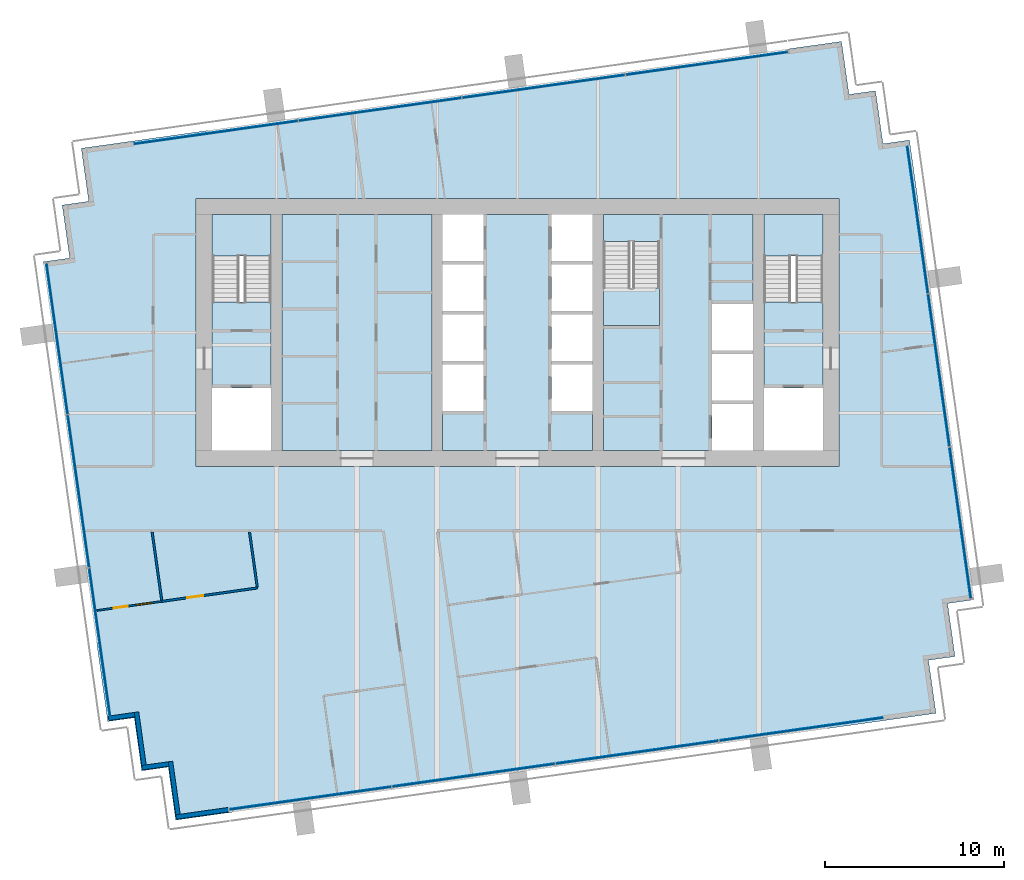
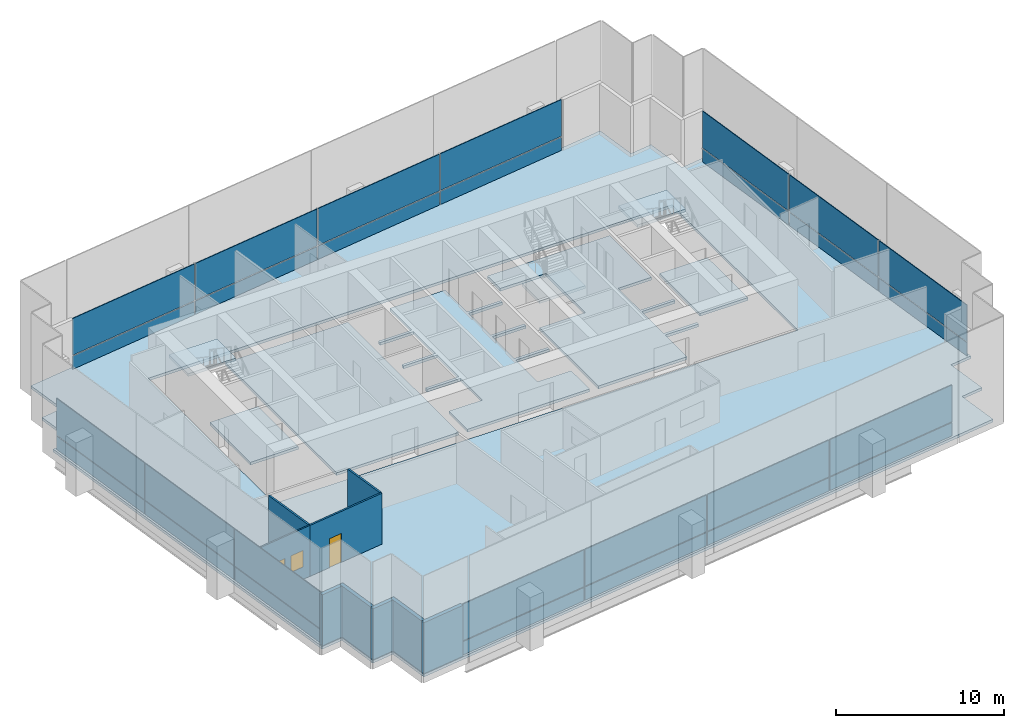
# One storey, part 7 of 15: 28 plates, 9 slabs, 9 walls, 2 doors, 1 window, 3 openings, 7 elements without a shape of their own.
"""IFC4 building model written with IfcOpenShell, lengths in metres."""

from ifc_helpers import new_model, si_unit, direction, frame, frame_2d, origin, origin_2d, place, context, subcontext, project, spatial, polyline, rectangle, outline, extrude, material, layer, layer_set, type_object, element, fill, aggregate, save


model = new_model("IFC4")

# Units and contexts
model_context = context("Model", 3, precision=1e-05, world=origin(), true_north=direction((0.0, 1.0)))
body_context = subcontext(model_context, "Body", "Model", "MODEL_VIEW")
ifc_project = project(units=[si_unit("LENGTHUNIT", "METRE"), si_unit("AREAUNIT", "SQUARE_METRE"), si_unit("VOLUMEUNIT", "CUBIC_METRE"), si_unit("PLANEANGLEUNIT", "RADIAN"), si_unit("MASSUNIT", "GRAM", prefix="KILO")], contexts=[model_context])

# Site, building, storey
site_placement = place(None, origin())
site = spatial("IfcSite", under=ifc_project, at=site_placement, CompositionType="ELEMENT")
building_placement = place(site_placement, origin())
building = spatial("IfcBuilding", under=site, at=building_placement, Name="Rattan Terrace Tower", CompositionType="ELEMENT")
storey_placement = place(building_placement, frame((0.0, 0.0, 255.10009765625)))
storey = spatial("IfcBuildingStorey", under=building, at=storey_placement, Name="L58", CompositionType="ELEMENT", Elevation=255.10009765625)

# Stair, slab
ifc_material_1 = material(Name="Concrete C40/50", Category="concrete")
stair_type = type_object("IfcStairType", Name="Core exit stair 1500", PredefinedType="HALF_TURN_STAIR", material=ifc_material_1)
stair_1_placement = place(storey_placement, origin())
stair_1 = element("IfcStair", 1, at=stair_1_placement, inside=storey, type_object=stair_type, Name="L58 exit stair 1", PredefinedType="HALF_TURN_STAIR")
ifc_material_2 = material(Name="Concrete C40/50", Category="concrete")
ifc_layer_1 = layer(ifc_material_2, 0.199951171875)
ifc_layer_set_1 = layer_set([ifc_layer_1], Name="Core exit stair landing")
slab_type_1 = type_object("IfcSlabType", Name="Core exit stair landing", PredefinedType="LANDING", material=ifc_layer_set_1)
slab_1_placement = place(storey_placement, frame((0.0, 0.0, 1.75)))
slab_1 = element("IfcSlab", 2, at=slab_1_placement, type_object=slab_type_1, Name="S1 landing 1", PredefinedType="LANDING", context=body_context, shape_type="SweptSolid", body=[
    extrude(outline(polyline([(-13.800048828125, 4.300048828125), (-13.800048828125, 6.60009765625), (-17.10009765625, 6.60009765625), (-17.10009765625, 4.300048828125), (-13.800048828125, 4.300048828125)])), origin(), (0.0, 0.0, 1.0), 0.199951171875),
])
aggregate(stair_1, [slab_1])

stair_2_placement = place(storey_placement, origin())
stair_2 = element("IfcStair", 3, at=stair_2_placement, inside=storey, type_object=stair_type, Name="L58 exit stair 2", PredefinedType="HALF_TURN_STAIR")
slab_2_placement = place(storey_placement, frame((0.0, 0.0, 1.75)))
slab_2 = element("IfcSlab", 4, at=slab_2_placement, type_object=slab_type_1, Name="S2 landing 1", PredefinedType="LANDING", context=body_context, shape_type="SweptSolid", body=[
    extrude(outline(polyline([(17.10009765625, 4.300048828125), (17.10009765625, 6.60009765625), (13.800048828125, 6.60009765625), (13.800048828125, 4.300048828125), (17.10009765625, 4.300048828125)])), origin(), (0.0, 0.0, 1.0), 0.199951171875),
])
aggregate(stair_2, [slab_2])

stair_3_placement = place(storey_placement, origin())
stair_3 = element("IfcStair", 5, at=stair_3_placement, inside=storey, type_object=stair_type, Name="L58 exit stair 3", PredefinedType="HALF_TURN_STAIR")
slab_3_placement = place(storey_placement, frame((0.0, 0.0, 1.75)))
slab_3 = element("IfcSlab", 6, at=slab_3_placement, type_object=slab_type_1, Name="S3 landing 1", PredefinedType="LANDING", context=body_context, shape_type="SweptSolid", body=[
    extrude(outline(polyline([(4.800048828125, 2.5), (4.800048828125, 0.39990234375), (7.949951171875, 0.39990234375), (7.949951171875, 2.5), (4.800048828125, 2.5)])), origin(), (0.0, 0.0, 1.0), 0.199951171875),
])
aggregate(stair_3, [slab_3])

# Slabs
ifc_material_3 = material(Name="Concrete C35/45", Category="concrete")
ifc_layer_2 = layer(ifc_material_3, 0.199951171875)
ifc_layer_set_2 = layer_set([ifc_layer_2], Name="Frame composite floor slab 200")
slab_type_2 = type_object("IfcSlabType", Name="Frame composite floor slab 200", PredefinedType="FLOOR", material=ifc_layer_set_2)
slab_4_placement = place(storey_placement, frame((0.0, 0.0, -0.2001953125)))
element("IfcSlab", 7, at=slab_4_placement, inside=storey, type_object=slab_type_2, Name="Floor slab", PredefinedType="FLOOR", context=body_context, shape_type="SweptSolid", body=[
    extrude(outline(polyline([(-16.176025390625, -26.889892578125), (20.464111328125, -21.739990234375), (23.43505859375, -21.322998046875), (23.01806640625, -18.35205078125), (24.5029296875, -18.14306640625), (24.0849609375, -15.173095703125), (25.571044921875, -14.964111328125), (21.951904296875, 10.782958984375), (20.467041015625, 10.573974609375), (20.049072265625, 13.544921875), (18.56396484375, 13.3369140625), (18.14599609375, 16.306884765625), (15.176025390625, 15.889892578125), (-21.464111328125, 10.739990234375), (-24.43505859375, 10.322998046875), (-24.01806640625, 7.35205078125), (-25.5029296875, 7.14306640625), (-25.0849609375, 4.173095703125), (-26.571044921875, 3.964111328125), (-22.951904296875, -21.782958984375), (-21.467041015625, -21.573974609375), (-21.049072265625, -24.544921875), (-19.56396484375, -24.3369140625), (-19.14599609375, -27.306884765625), (-16.176025390625, -26.889892578125)]), holes=[polyline([(-18.0, -7.5), (18.0, -7.5), (18.0, -6.60009765625), (18.0, 6.60009765625), (18.0, 7.5), (-18.0, 7.5), (-18.0, 6.60009765625), (-18.0, -6.60009765625), (-18.0, -7.5)])]), origin(), (0.0, 0.0, 1.0), 0.2001953125),
])
slab_5_placement = place(storey_placement, frame((0.0, 0.0, -0.2001953125)))
element("IfcSlab", 8, at=slab_5_placement, inside=storey, type_object=slab_type_2, Name="Floor slab", PredefinedType="FLOOR", context=body_context, shape_type="SweptSolid", body=[
    extrude(outline(polyline([(13.199951171875, 6.60009765625), (4.800048828125, 6.60009765625), (4.800048828125, 5.090087890625), (7.949951171875, 5.090087890625), (7.949951171875, 0.39990234375), (4.800048828125, 0.39990234375), (4.800048828125, -6.60009765625), (10.89990234375, -6.60009765625), (10.89990234375, -4.0), (13.199951171875, -4.0), (13.199951171875, -3.800048828125), (10.89990234375, -3.800048828125), (10.89990234375, -1.199951171875), (13.199951171875, -1.199951171875), (13.199951171875, -1.0), (10.89990234375, -1.0), (10.89990234375, 1.60009765625), (13.199951171875, 1.60009765625), (13.199951171875, 6.60009765625)])), origin(), (0.0, 0.0, 1.0), 0.2001953125),
])
slab_6_placement = place(storey_placement, frame((0.0, 0.0, -0.2001953125)))
element("IfcSlab", 9, at=slab_6_placement, inside=storey, type_object=slab_type_2, Name="Floor slab", PredefinedType="FLOOR", context=body_context, shape_type="SweptSolid", body=[
    extrude(outline(polyline([(1.89990234375, 6.60009765625), (-1.89990234375, 6.60009765625), (-1.89990234375, 4.0), (-4.199951171875, 4.0), (-4.199951171875, 3.800048828125), (-1.89990234375, 3.800048828125), (-1.89990234375, 1.199951171875), (-4.199951171875, 1.199951171875), (-4.199951171875, 1.0), (-1.89990234375, 1.0), (-1.89990234375, -1.60009765625), (-4.199951171875, -1.60009765625), (-4.199951171875, -1.800048828125), (-1.89990234375, -1.800048828125), (-1.89990234375, -4.39990234375), (-4.199951171875, -4.39990234375), (-4.199951171875, -6.60009765625), (4.199951171875, -6.60009765625), (4.199951171875, -4.39990234375), (1.89990234375, -4.39990234375), (1.89990234375, -1.800048828125), (4.199951171875, -1.800048828125), (4.199951171875, -1.60009765625), (1.89990234375, -1.60009765625), (1.89990234375, 1.0), (4.199951171875, 1.0), (4.199951171875, 1.199951171875), (1.89990234375, 1.199951171875), (1.89990234375, 3.800048828125), (4.199951171875, 3.800048828125), (4.199951171875, 4.0), (1.89990234375, 4.0), (1.89990234375, 6.60009765625)])), origin(), (0.0, 0.0, 1.0), 0.2001953125),
])
slab_7_placement = place(storey_placement, frame((0.0, 0.0, -0.2001953125)))
element("IfcSlab", 10, at=slab_7_placement, inside=storey, type_object=slab_type_2, Name="Floor slab", PredefinedType="FLOOR", context=body_context, shape_type="SweptSolid", body=[
    extrude(outline(polyline([(-17.10009765625, -3.10009765625), (-13.800048828125, -3.10009765625), (-13.800048828125, 1.7099609375), (-17.10009765625, 1.7099609375), (-17.10009765625, -3.10009765625)])), origin(), (0.0, 0.0, 1.0), 0.2001953125),
])
slab_8_placement = place(storey_placement, frame((0.0, 0.0, -0.2001953125)))
element("IfcSlab", 11, at=slab_8_placement, inside=storey, type_object=slab_type_2, Name="Floor slab", PredefinedType="FLOOR", context=body_context, shape_type="SweptSolid", body=[
    extrude(outline(polyline([(-4.800048828125, -6.60009765625), (-4.800048828125, 6.60009765625), (-13.199951171875, 6.60009765625), (-13.199951171875, -6.60009765625), (-4.800048828125, -6.60009765625)])), origin(), (0.0, 0.0, 1.0), 0.2001953125),
])
slab_9_placement = place(storey_placement, frame((0.0, 0.0, -0.2001953125)))
element("IfcSlab", 12, at=slab_9_placement, inside=storey, type_object=slab_type_2, Name="Floor slab", PredefinedType="FLOOR", context=body_context, shape_type="SweptSolid", body=[
    extrude(outline(polyline([(13.800048828125, -3.10009765625), (17.10009765625, -3.10009765625), (17.10009765625, 1.7099609375), (13.800048828125, 1.7099609375), (13.800048828125, -3.10009765625)])), origin(), (0.0, 0.0, 1.0), 0.2001953125),
])

# Curtain wall, plates
ifc_material_4 = material(Name="Aluminium and laminated glass", Category="aluminium")
ifc_layer_3 = layer(ifc_material_4, 0.199951171875)
ifc_layer_set_3 = layer_set([ifc_layer_3], Name="High-Zone Unitised Curtain Wall")
curtain_wall_type = type_object("IfcCurtainWallType", Name="High-Zone Unitised Curtain Wall", PredefinedType="NOTDEFINED", material=ifc_layer_set_3)
curtain_wall_1_placement = place(storey_placement, origin())
curtain_wall_1 = element("IfcCurtainWall", 13, at=curtain_wall_1_placement, inside=storey, type_object=curtain_wall_type, Name="High-zone curtain wall L58-1", PredefinedType="NOTDEFINED")
ifc_material_5 = material(Name="Aluminium insulated spandrel panel", Category="aluminium")
ifc_layer_4 = layer(ifc_material_5, 0.050048828125)
ifc_layer_set_4 = layer_set([ifc_layer_4], Name="High-Zone CW Spandrel Panel")
plate_type_1 = type_object("IfcPlateType", Name="High-Zone CW Spandrel Panel", PredefinedType="CURTAIN_PANEL", material=ifc_layer_set_4)
plate_1_placement = place(storey_placement, frame((24.7939453125, -10.65673828125, 0.0), z_axis=(0.0, 0.0, 1.0), x_axis=(-0.139191775431, 0.990265444036, 0.0)))
plate_1 = element("IfcPlate", 14, at=plate_1_placement, type_object=plate_type_1, Name="Panel cwl-L58-001.1.1", PredefinedType="CURTAIN_PANEL", context=body_context, shape_type="SweptSolid", body=[
    extrude(rectangle(XDim=8.51708984375, YDim=0.050048828125, at=origin_2d()), origin(), (0.0, 0.0, 1.0), 0.965087890625),
])
plate_2_placement = place(storey_placement, frame((23.593017578125, -2.11376953125, 0.0), z_axis=(0.0, 0.0, 1.0), x_axis=(-0.139191775431, 0.990265444036, 0.0)))
plate_2 = element("IfcPlate", 15, at=plate_2_placement, type_object=plate_type_1, Name="Panel cwl-L58-001.2.1", PredefinedType="CURTAIN_PANEL", context=body_context, shape_type="SweptSolid", body=[
    extrude(rectangle(XDim=8.596923828125, YDim=0.050048828125, at=origin_2d()), origin(), (0.0, 0.0, 1.0), 0.965087890625),
])
plate_3_placement = place(storey_placement, frame((22.40478515625, 6.339599609375, 0.0), z_axis=(0.0, 0.0, 1.0), x_axis=(-0.139191775431, 0.990265444036, 0.0)))
plate_3 = element("IfcPlate", 16, at=plate_3_placement, type_object=plate_type_1, Name="Panel cwl-L58-001.3.1", PredefinedType="CURTAIN_PANEL", context=body_context, shape_type="SweptSolid", body=[
    extrude(rectangle(XDim=8.336181640625, YDim=0.050048828125, at=origin_2d()), origin(), (0.0, 0.0, 1.0), 0.965087890625),
])

curtain_wall_2_placement = place(storey_placement, origin())
curtain_wall_2 = element("IfcCurtainWall", 17, at=curtain_wall_2_placement, inside=storey, type_object=curtain_wall_type, Name="High-zone curtain wall L58-2", PredefinedType="NOTDEFINED")
plate_4_placement = place(storey_placement, frame((10.602783203125, 15.075439453125, 0.0), z_axis=(0.0, 0.0, 1.0), x_axis=(-0.990265894013, -0.139188574079, 0.0)))
plate_4 = element("IfcPlate", 18, at=plate_4_placement, type_object=plate_type_1, Name="Panel cwl-L58-002.1.1", PredefinedType="CURTAIN_PANEL", context=body_context, shape_type="SweptSolid", body=[
    extrude(rectangle(XDim=9.14404296875, YDim=0.050048828125, at=origin_2d()), origin(), (0.0, 0.0, 1.0), 0.965087890625),
])
plate_5_placement = place(storey_placement, frame((1.461181640625, 13.79052734375, 0.0), z_axis=(0.0, 0.0, 1.0), x_axis=(-0.990265894013, -0.139188574079, 0.0)))
plate_5 = element("IfcPlate", 19, at=plate_5_placement, type_object=plate_type_1, Name="Panel cwl-L58-002.2.1", PredefinedType="CURTAIN_PANEL", context=body_context, shape_type="SweptSolid", body=[
    extrude(rectangle(XDim=9.178955078125, YDim=0.050048828125, at=origin_2d()), origin(), (0.0, 0.0, 1.0), 0.965087890625),
])
plate_6_placement = place(storey_placement, frame((-7.69775390625, 12.503173828125, 0.0), z_axis=(0.0, 0.0, 1.0), x_axis=(-0.990265894013, -0.139188574079, 0.0)))
plate_6 = element("IfcPlate", 20, at=plate_6_placement, type_object=plate_type_1, Name="Panel cwl-L58-002.3.1", PredefinedType="CURTAIN_PANEL", context=body_context, shape_type="SweptSolid", body=[
    extrude(rectangle(XDim=9.178955078125, YDim=0.050048828125, at=origin_2d()), origin(), (0.0, 0.0, 1.0), 0.965087890625),
])
plate_7_placement = place(storey_placement, frame((-16.876220703125, 11.213134765625, 0.0), z_axis=(0.0, 0.0, 1.0), x_axis=(-0.990265894013, -0.139188574079, 0.0)))
plate_7 = element("IfcPlate", 21, at=plate_7_placement, type_object=plate_type_1, Name="Panel cwl-L58-002.4.1", PredefinedType="CURTAIN_PANEL", context=body_context, shape_type="SweptSolid", body=[
    extrude(rectangle(XDim=9.21826171875, YDim=0.050048828125, at=origin_2d()), origin(), (0.0, 0.0, 1.0), 0.965087890625),
])

curtain_wall_3_placement = place(storey_placement, origin())
curtain_wall_3 = element("IfcCurtainWall", 22, at=curtain_wall_3_placement, inside=storey, type_object=curtain_wall_type, Name="High-zone curtain wall L58-3", PredefinedType="NOTDEFINED")
plate_8_placement = place(storey_placement, frame((-25.7939453125, -0.34326171875, 0.0), z_axis=(0.0, 0.0, 1.0), x_axis=(0.139191775431, -0.990265444036, 0.0)))
plate_8 = element("IfcPlate", 23, at=plate_8_placement, type_object=plate_type_1, Name="Panel cwl-L58-003.1.1", PredefinedType="CURTAIN_PANEL", context=body_context, shape_type="SweptSolid", body=[
    extrude(rectangle(XDim=8.51708984375, YDim=0.050048828125, at=origin_2d()), origin(), (0.0, 0.0, 1.0), 0.965087890625),
])
plate_9_placement = place(storey_placement, frame((-24.593017578125, -8.88623046875, 0.0), z_axis=(0.0, 0.0, 1.0), x_axis=(0.139191775431, -0.990265444036, 0.0)))
plate_9 = element("IfcPlate", 24, at=plate_9_placement, type_object=plate_type_1, Name="Panel cwl-L58-003.2.1", PredefinedType="CURTAIN_PANEL", context=body_context, shape_type="SweptSolid", body=[
    extrude(rectangle(XDim=8.596923828125, YDim=0.050048828125, at=origin_2d()), origin(), (0.0, 0.0, 1.0), 0.965087890625),
])
plate_10_placement = place(storey_placement, frame((-23.40478515625, -17.339599609375, 0.0), z_axis=(0.0, 0.0, 1.0), x_axis=(0.139191775431, -0.990265444036, 0.0)))
plate_10 = element("IfcPlate", 25, at=plate_10_placement, type_object=plate_type_1, Name="Panel cwl-L58-003.3.1", PredefinedType="CURTAIN_PANEL", context=body_context, shape_type="SweptSolid", body=[
    extrude(rectangle(XDim=8.336181640625, YDim=0.050048828125, at=origin_2d()), origin(), (0.0, 0.0, 1.0), 0.965087890625),
])

curtain_wall_4_placement = place(storey_placement, origin())
curtain_wall_4 = element("IfcCurtainWall", 26, at=curtain_wall_4_placement, inside=storey, type_object=curtain_wall_type, Name="High-zone curtain wall L58-4", PredefinedType="NOTDEFINED")
plate_11_placement = place(storey_placement, frame((-11.602783203125, -26.075439453125, 0.0), z_axis=(0.0, 0.0, 1.0), x_axis=(0.990265894013, 0.139188574079, 0.0)))
plate_11 = element("IfcPlate", 27, at=plate_11_placement, type_object=plate_type_1, Name="Panel cwl-L58-004.1.1", PredefinedType="CURTAIN_PANEL", context=body_context, shape_type="SweptSolid", body=[
    extrude(rectangle(XDim=9.14404296875, YDim=0.050048828125, at=origin_2d()), origin(), (0.0, 0.0, 1.0), 0.965087890625),
])
plate_12_placement = place(storey_placement, frame((-2.461181640625, -24.79052734375, 0.0), z_axis=(0.0, 0.0, 1.0), x_axis=(0.990265894013, 0.139188574079, 0.0)))
plate_12 = element("IfcPlate", 28, at=plate_12_placement, type_object=plate_type_1, Name="Panel cwl-L58-004.2.1", PredefinedType="CURTAIN_PANEL", context=body_context, shape_type="SweptSolid", body=[
    extrude(rectangle(XDim=9.178955078125, YDim=0.050048828125, at=origin_2d()), origin(), (0.0, 0.0, 1.0), 0.965087890625),
])
plate_13_placement = place(storey_placement, frame((6.69775390625, -23.503173828125, 0.0), z_axis=(0.0, 0.0, 1.0), x_axis=(0.990265894013, 0.139188574079, 0.0)))
plate_13 = element("IfcPlate", 29, at=plate_13_placement, type_object=plate_type_1, Name="Panel cwl-L58-004.3.1", PredefinedType="CURTAIN_PANEL", context=body_context, shape_type="SweptSolid", body=[
    extrude(rectangle(XDim=9.178955078125, YDim=0.050048828125, at=origin_2d()), origin(), (0.0, 0.0, 1.0), 0.965087890625),
])
plate_14_placement = place(storey_placement, frame((15.876220703125, -22.213134765625, 0.0), z_axis=(0.0, 0.0, 1.0), x_axis=(0.990265894013, 0.139188574079, 0.0)))
plate_14 = element("IfcPlate", 30, at=plate_14_placement, type_object=plate_type_1, Name="Panel cwl-L58-004.4.1", PredefinedType="CURTAIN_PANEL", context=body_context, shape_type="SweptSolid", body=[
    extrude(rectangle(XDim=9.21826171875, YDim=0.050048828125, at=origin_2d()), origin(), (0.0, 0.0, 1.0), 0.965087890625),
])

# Plate
ifc_material_6 = material(Name="Laminated low-iron glass", Category="glass")
ifc_layer_5 = layer(ifc_material_6, 0.055908203125)
ifc_layer_set_5 = layer_set([ifc_layer_5], Name="High-Zone CW Vision Panel")
plate_type_2 = type_object("IfcPlateType", Name="High-Zone CW Vision Panel", PredefinedType="CURTAIN_PANEL", material=ifc_layer_set_5)
plate_15_placement = place(storey_placement, frame((24.7939453125, -10.65673828125, 1.034912109375), z_axis=(0.0, 0.0, 1.0), x_axis=(-0.139191775431, 0.990265444036, 0.0)))
plate_15 = element("IfcPlate", 31, at=plate_15_placement, type_object=plate_type_2, Name="Panel cwl-L58-001.1.2", PredefinedType="CURTAIN_PANEL", context=body_context, shape_type="SweptSolid", body=[
    extrude(rectangle(XDim=8.51708984375, YDim=0.055908203125, at=origin_2d()), origin(), (0.0, 0.0, 1.0), 2.6650390625),
])

plate_16_placement = place(storey_placement, frame((23.593017578125, -2.11376953125, 1.034912109375), z_axis=(0.0, 0.0, 1.0), x_axis=(-0.139191775431, 0.990265444036, 0.0)))
plate_16 = element("IfcPlate", 32, at=plate_16_placement, type_object=plate_type_2, Name="Panel cwl-L58-001.2.2", PredefinedType="CURTAIN_PANEL", context=body_context, shape_type="SweptSolid", body=[
    extrude(rectangle(XDim=8.596923828125, YDim=0.055908203125, at=origin_2d()), origin(), (0.0, 0.0, 1.0), 2.6650390625),
])

plate_17_placement = place(storey_placement, frame((22.40478515625, 6.339599609375, 1.034912109375), z_axis=(0.0, 0.0, 1.0), x_axis=(-0.139191775431, 0.990265444036, 0.0)))
plate_17 = element("IfcPlate", 33, at=plate_17_placement, type_object=plate_type_2, Name="Panel cwl-L58-001.3.2", PredefinedType="CURTAIN_PANEL", context=body_context, shape_type="SweptSolid", body=[
    extrude(rectangle(XDim=8.336181640625, YDim=0.055908203125, at=origin_2d()), origin(), (0.0, 0.0, 1.0), 2.6650390625),
])

aggregate(curtain_wall_1, [plate_1, plate_15, plate_2, plate_16, plate_3, plate_17])

plate_18_placement = place(storey_placement, frame((10.602783203125, 15.075439453125, 1.034912109375), z_axis=(0.0, 0.0, 1.0), x_axis=(-0.990265894013, -0.139188574079, 0.0)))
plate_18 = element("IfcPlate", 34, at=plate_18_placement, type_object=plate_type_2, Name="Panel cwl-L58-002.1.2", PredefinedType="CURTAIN_PANEL", context=body_context, shape_type="SweptSolid", body=[
    extrude(rectangle(XDim=9.14404296875, YDim=0.055908203125, at=origin_2d()), origin(), (0.0, 0.0, 1.0), 2.6650390625),
])

plate_19_placement = place(storey_placement, frame((1.461181640625, 13.79052734375, 1.034912109375), z_axis=(0.0, 0.0, 1.0), x_axis=(-0.990265894013, -0.139188574079, 0.0)))
plate_19 = element("IfcPlate", 35, at=plate_19_placement, type_object=plate_type_2, Name="Panel cwl-L58-002.2.2", PredefinedType="CURTAIN_PANEL", context=body_context, shape_type="SweptSolid", body=[
    extrude(rectangle(XDim=9.178955078125, YDim=0.055908203125, at=origin_2d()), origin(), (0.0, 0.0, 1.0), 2.6650390625),
])

plate_20_placement = place(storey_placement, frame((-7.69775390625, 12.503173828125, 1.034912109375), z_axis=(0.0, 0.0, 1.0), x_axis=(-0.990265894013, -0.139188574079, 0.0)))
plate_20 = element("IfcPlate", 36, at=plate_20_placement, type_object=plate_type_2, Name="Panel cwl-L58-002.3.2", PredefinedType="CURTAIN_PANEL", context=body_context, shape_type="SweptSolid", body=[
    extrude(rectangle(XDim=9.178955078125, YDim=0.055908203125, at=origin_2d()), origin(), (0.0, 0.0, 1.0), 2.6650390625),
])

plate_21_placement = place(storey_placement, frame((-16.876220703125, 11.213134765625, 1.034912109375), z_axis=(0.0, 0.0, 1.0), x_axis=(-0.990265894013, -0.139188574079, 0.0)))
plate_21 = element("IfcPlate", 37, at=plate_21_placement, type_object=plate_type_2, Name="Panel cwl-L58-002.4.2", PredefinedType="CURTAIN_PANEL", context=body_context, shape_type="SweptSolid", body=[
    extrude(rectangle(XDim=9.21826171875, YDim=0.055908203125, at=origin_2d()), origin(), (0.0, 0.0, 1.0), 2.6650390625),
])

aggregate(curtain_wall_2, [plate_4, plate_18, plate_5, plate_19, plate_6, plate_20, plate_7, plate_21])

plate_22_placement = place(storey_placement, frame((-25.7939453125, -0.34326171875, 1.034912109375), z_axis=(0.0, 0.0, 1.0), x_axis=(0.139191775431, -0.990265444036, 0.0)))
plate_22 = element("IfcPlate", 38, at=plate_22_placement, type_object=plate_type_2, Name="Panel cwl-L58-003.1.2", PredefinedType="CURTAIN_PANEL", context=body_context, shape_type="SweptSolid", body=[
    extrude(rectangle(XDim=8.51708984375, YDim=0.055908203125, at=origin_2d()), origin(), (0.0, 0.0, 1.0), 2.6650390625),
])

plate_23_placement = place(storey_placement, frame((-24.593017578125, -8.88623046875, 1.034912109375), z_axis=(0.0, 0.0, 1.0), x_axis=(0.139191775431, -0.990265444036, 0.0)))
plate_23 = element("IfcPlate", 39, at=plate_23_placement, type_object=plate_type_2, Name="Panel cwl-L58-003.2.2", PredefinedType="CURTAIN_PANEL", context=body_context, shape_type="SweptSolid", body=[
    extrude(rectangle(XDim=8.596923828125, YDim=0.055908203125, at=origin_2d()), origin(), (0.0, 0.0, 1.0), 2.6650390625),
])

plate_24_placement = place(storey_placement, frame((-23.40478515625, -17.339599609375, 1.034912109375), z_axis=(0.0, 0.0, 1.0), x_axis=(0.139191775431, -0.990265444036, 0.0)))
plate_24 = element("IfcPlate", 40, at=plate_24_placement, type_object=plate_type_2, Name="Panel cwl-L58-003.3.2", PredefinedType="CURTAIN_PANEL", context=body_context, shape_type="SweptSolid", body=[
    extrude(rectangle(XDim=8.336181640625, YDim=0.055908203125, at=origin_2d()), origin(), (0.0, 0.0, 1.0), 2.6650390625),
])

aggregate(curtain_wall_3, [plate_8, plate_22, plate_9, plate_23, plate_10, plate_24])

plate_25_placement = place(storey_placement, frame((-11.602783203125, -26.075439453125, 1.034912109375), z_axis=(0.0, 0.0, 1.0), x_axis=(0.990265894013, 0.139188574079, 0.0)))
plate_25 = element("IfcPlate", 41, at=plate_25_placement, type_object=plate_type_2, Name="Panel cwl-L58-004.1.2", PredefinedType="CURTAIN_PANEL", context=body_context, shape_type="SweptSolid", body=[
    extrude(rectangle(XDim=9.14404296875, YDim=0.055908203125, at=origin_2d()), origin(), (0.0, 0.0, 1.0), 2.6650390625),
])

plate_26_placement = place(storey_placement, frame((-2.461181640625, -24.79052734375, 1.034912109375), z_axis=(0.0, 0.0, 1.0), x_axis=(0.990265894013, 0.139188574079, 0.0)))
plate_26 = element("IfcPlate", 42, at=plate_26_placement, type_object=plate_type_2, Name="Panel cwl-L58-004.2.2", PredefinedType="CURTAIN_PANEL", context=body_context, shape_type="SweptSolid", body=[
    extrude(rectangle(XDim=9.178955078125, YDim=0.055908203125, at=origin_2d()), origin(), (0.0, 0.0, 1.0), 2.6650390625),
])

plate_27_placement = place(storey_placement, frame((6.69775390625, -23.503173828125, 1.034912109375), z_axis=(0.0, 0.0, 1.0), x_axis=(0.990265894013, 0.139188574079, 0.0)))
plate_27 = element("IfcPlate", 43, at=plate_27_placement, type_object=plate_type_2, Name="Panel cwl-L58-004.3.2", PredefinedType="CURTAIN_PANEL", context=body_context, shape_type="SweptSolid", body=[
    extrude(rectangle(XDim=9.178955078125, YDim=0.055908203125, at=origin_2d()), origin(), (0.0, 0.0, 1.0), 2.6650390625),
])

plate_28_placement = place(storey_placement, frame((15.876220703125, -22.213134765625, 1.034912109375), z_axis=(0.0, 0.0, 1.0), x_axis=(0.990265894013, 0.139188574079, 0.0)))
plate_28 = element("IfcPlate", 44, at=plate_28_placement, type_object=plate_type_2, Name="Panel cwl-L58-004.4.2", PredefinedType="CURTAIN_PANEL", context=body_context, shape_type="SweptSolid", body=[
    extrude(rectangle(XDim=9.21826171875, YDim=0.055908203125, at=origin_2d()), origin(), (0.0, 0.0, 1.0), 2.6650390625),
])

aggregate(curtain_wall_4, [plate_11, plate_25, plate_12, plate_26, plate_13, plate_27, plate_14, plate_28])

# Walls
ifc_material_7 = material(Name="Insulated aluminium-clad stud wall", Category="aluminium")
ifc_layer_6 = layer(ifc_material_7, 0.25)
ifc_layer_set_6 = layer_set([ifc_layer_6], Name="Facade Riser Wall 250")
wall_type_1 = type_object("IfcWallType", Name="Facade Riser Wall 250", PredefinedType="SOLIDWALL", material=ifc_layer_set_6)
wall_1_placement = place(storey_placement, frame((-22.90625, -21.60498046875, 0.0), z_axis=(0.0, 0.0, 1.0), x_axis=(0.990235520307, 0.13940449893, 0.0)))
element("IfcWall", 45, at=wall_1_placement, inside=storey, type_object=wall_type_1, Name="Riser wall L58-16", PredefinedType="SOLIDWALL", context=body_context, shape_type="SweptSolid", body=[
    extrude(rectangle(XDim=1.474609375, YDim=0.25, at=frame_2d((0.7373046875, 0.0))), origin(), (0.0, 0.0, 1.0), 3.699951171875),
])
wall_2_placement = place(storey_placement, frame((-21.33984375, -21.25830078125, 0.0), z_axis=(0.0, 0.0, 1.0), x_axis=(0.139393225799, -0.990237107263, 0.0)))
element("IfcWall", 46, at=wall_2_placement, inside=storey, type_object=wall_type_1, Name="Riser wall L58-17", PredefinedType="SOLIDWALL", context=body_context, shape_type="SweptSolid", body=[
    extrude(rectangle(XDim=3.000244140625, YDim=0.25, at=frame_2d((1.5, 0.0))), origin(), (0.0, 0.0, 1.0), 3.699951171875),
])
wall_3_placement = place(storey_placement, frame((-21.028076171875, -24.370361328125, 0.0), z_axis=(0.0, 0.0, 1.0), x_axis=(0.990330117064, 0.138730887823, 0.0)))
element("IfcWall", 47, at=wall_3_placement, inside=storey, type_object=wall_type_1, Name="Riser wall L58-18", PredefinedType="SOLIDWALL", context=body_context, shape_type="SweptSolid", body=[
    extrude(rectangle(XDim=1.499267578125, YDim=0.25, at=frame_2d((0.74951171875, 0.0))), origin(), (0.0, 0.0, 1.0), 3.699951171875),
])
wall_4_placement = place(storey_placement, frame((-19.436767578125, -24.021240234375, 0.0), z_axis=(0.0, 0.0, 1.0), x_axis=(0.139358350296, -0.990242015975, 0.0)))
element("IfcWall", 48, at=wall_4_placement, inside=storey, type_object=wall_type_1, Name="Riser wall L58-19", PredefinedType="SOLIDWALL", context=body_context, shape_type="SweptSolid", body=[
    extrude(rectangle(XDim=2.999267578125, YDim=0.25, at=frame_2d((1.49951171875, 0.0))), origin(), (0.0, 0.0, 1.0), 3.699951171875),
])
wall_5_placement = place(storey_placement, frame((-19.125244140625, -27.13232421875, 0.0), z_axis=(0.0, 0.0, 1.0), x_axis=(0.990291981483, 0.139002846771, 0.0)))
element("IfcWall", 49, at=wall_5_placement, inside=storey, type_object=wall_type_1, Name="Riser wall L58-20", PredefinedType="SOLIDWALL", context=body_context, shape_type="SweptSolid", body=[
    extrude(rectangle(XDim=2.9541015625, YDim=0.25, at=frame_2d((1.47705078125, 0.0))), origin(), (0.0, 0.0, 1.0), 3.699951171875),
])

# Wall, openings, door, window
ifc_material_8 = material(Name="Gypsum board partition on steel studs", Category="steel")
ifc_layer_7 = layer(ifc_material_8, 0.10009765625)
ifc_layer_set_7 = layer_set([ifc_layer_7], Name="Floors Partition 100")
wall_type_2 = type_object("IfcWallType", Name="Floors Partition 100", PredefinedType="PARTITIONING", material=ifc_layer_set_7)
wall_6_placement = place(storey_placement, frame((-23.56298828125, -15.56689453125, 0.0), z_axis=(0.0, 0.0, 1.0), x_axis=(0.990288176908, 0.139029948846, 0.0)))
wall_6 = element("IfcWall", 50, at=wall_6_placement, inside=storey, type_object=wall_type_2, Name="pt-L58-022", PredefinedType="PARTITIONING", context=body_context, shape_type="SweptSolid", body=[
    extrude(rectangle(XDim=3.65966796875, YDim=0.10009765625, at=frame_2d((1.829833984375, 0.0))), origin(), (0.0, 0.0, 1.0), 3.699951171875),
])
opening_1_placement = place(wall_6_placement, frame((0.9580078125, 0.0, 0.0)))
opening_1 = element("IfcOpeningElement", 51, at=opening_1_placement, cuts=wall_6, Name="Opening L58-D102", PredefinedType="OPENING", context=body_context, shape_type="SweptSolid", body=[
    extrude(rectangle(XDim=0.800048828125, YDim=2.10009765625, at=frame_2d((0.39990234375, 1.050048828125))), frame((0.0, 0.060546875, 0.0), z_axis=(0.0, -1.0, 0.0), x_axis=(1.0, 0.0, 0.0)), (0.0, 0.0, 1.0), 0.12109375),
])
opening_2_placement = place(wall_6_placement, frame((2.239013671875, 0.0, 0.89990234375)))
opening_2 = element("IfcOpeningElement", 52, at=opening_2_placement, cuts=wall_6, Name="Opening L58-W100", PredefinedType="OPENING", context=body_context, shape_type="SweptSolid", body=[
    extrude(rectangle(XDim=0.89990234375, YDim=1.199951171875, at=frame_2d((0.449951171875, 0.60009765625))), frame((0.0, 0.060546875, 0.0), z_axis=(0.0, -1.0, 0.0), x_axis=(1.0, 0.0, 0.0)), (0.0, 0.0, 1.0), 0.12109375),
])
ifc_material_9 = material(Name="Solid core timber door, painted", Category="wood")
door_type_1 = type_object("IfcDoorType", Name="Floors Store Door 800x2100", OperationType="NOTDEFINED", PredefinedType="DOOR", material=ifc_material_9)
door_1_placement = place(opening_1_placement, origin())
door_1 = element("IfcDoor", 53, at=door_1_placement, inside=storey, type_object=door_type_1, Name="d-L58-102", OperationType="SINGLE_SWING_LEFT", OverallHeight=2.10009765625, OverallWidth=0.800048828125, PredefinedType="DOOR", context=body_context, shape_type="SweptSolid", body=[
    extrude(rectangle(XDim=0.800048828125, YDim=2.10009765625, at=frame_2d((0.39990234375, 1.050048828125))), frame((0.0, 0.02490234375, 0.0), z_axis=(0.0, -1.0, 0.0), x_axis=(1.0, 0.0, 0.0)), (0.0, 0.0, 1.0), 0.050048828125),
])
fill(opening_1, door_1)
ifc_material_10 = material(Name="Glass, clear, fixed in aluminium frame", Category="aluminium")
window_type = type_object("IfcWindowType", Name="Interior Vision Window 900x1200", PartitioningType="SINGLE_PANEL", PredefinedType="WINDOW", material=ifc_material_10)
window_placement = place(opening_2_placement, origin())
window = element("IfcWindow", 54, at=window_placement, inside=storey, type_object=window_type, Name="w-L58-100", OverallHeight=1.199951171875, OverallWidth=0.89990234375, PartitioningType="SINGLE_PANEL", PredefinedType="WINDOW", context=body_context, shape_type="SweptSolid", body=[
    extrude(rectangle(XDim=0.89990234375, YDim=1.199951171875, at=frame_2d((0.449951171875, 0.60009765625))), frame((0.0, 0.030029296875, 0.0), z_axis=(0.0, -1.0, 0.0), x_axis=(1.0, 0.0, 0.0)), (0.0, 0.0, 1.0), 0.06005859375),
])
fill(opening_2, window)

# Wall, opening, door
ifc_material_11 = material(Name="Moisture resistant gypsum board partition on steel studs with service cavity", Category="steel")
ifc_layer_8 = layer(ifc_material_11, 0.1201171875)
ifc_layer_set_8 = layer_set([ifc_layer_8], Name="Floors Wet Wall 120")
wall_type_3 = type_object("IfcWallType", Name="Floors Wet Wall 120", PredefinedType="PARTITIONING", material=ifc_layer_set_8)
wall_7_placement = place(storey_placement, frame((-19.93896484375, -15.05810546875, 0.0), z_axis=(0.0, 0.0, 1.0), x_axis=(0.99027122958, 0.139150608569, 0.0)))
wall_7 = element("IfcWall", 55, at=wall_7_placement, inside=storey, type_object=wall_type_3, Name="pt-L58-023", PredefinedType="PARTITIONING", context=body_context, shape_type="SweptSolid", body=[
    extrude(rectangle(XDim=5.419677734375, YDim=0.1201171875, at=frame_2d((2.7099609375, 0.0))), origin(), (0.0, 0.0, 1.0), 3.699951171875),
])
opening_3_placement = place(wall_7_placement, frame((1.4560546875, 0.0, 0.0)))
opening_3 = element("IfcOpeningElement", 56, at=opening_3_placement, cuts=wall_7, Name="Opening L58-D103", PredefinedType="OPENING", context=body_context, shape_type="SweptSolid", body=[
    extrude(rectangle(XDim=0.89990234375, YDim=2.10009765625, at=frame_2d((0.449951171875, 1.050048828125))), frame((0.0, 0.070556640625, 0.0), z_axis=(0.0, -1.0, 0.0), x_axis=(1.0, 0.0, 0.0)), (0.0, 0.0, 1.0), 0.14111328125),
])
ifc_material_12 = material(Name="Solid core timber door, painted", Category="wood")
door_type_2 = type_object("IfcDoorType", Name="Floors Door 900x2100", OperationType="NOTDEFINED", PredefinedType="DOOR", material=ifc_material_12)
door_2_placement = place(opening_3_placement, origin())
door_2 = element("IfcDoor", 57, at=door_2_placement, inside=storey, type_object=door_type_2, Name="d-L58-103", OperationType="SINGLE_SWING_LEFT", OverallHeight=2.10009765625, OverallWidth=0.89990234375, PredefinedType="DOOR", context=body_context, shape_type="SweptSolid", body=[
    extrude(rectangle(XDim=0.89990234375, YDim=2.10009765625, at=frame_2d((0.449951171875, 1.050048828125))), frame((0.0, 0.02490234375, 0.0), z_axis=(0.0, -1.0, 0.0), x_axis=(1.0, 0.0, 0.0)), (0.0, 0.0, 1.0), 0.050048828125),
])
fill(opening_3, door_2)

# Walls
wall_8_placement = place(storey_placement, frame((-14.580078125, -14.243896484375, 0.0), z_axis=(0.0, 0.0, 1.0), x_axis=(-0.139309006135, 0.990248959005, 0.0)))
element("IfcWall", 58, at=wall_8_placement, inside=storey, type_object=wall_type_3, Name="pt-L58-024", PredefinedType="PARTITIONING", context=body_context, shape_type="SweptSolid", body=[
    extrude(rectangle(XDim=3.107177734375, YDim=0.1201171875, at=frame_2d((1.5537109375, 0.0))), origin(), (0.0, 0.0, 1.0), 3.699951171875),
])
wall_9_placement = place(storey_placement, frame((-20.466064453125, -11.1669921875, 0.0), z_axis=(0.0, 0.0, 1.0), x_axis=(0.139192901143, -0.990265285806, 0.0)))
element("IfcWall", 59, at=wall_9_placement, inside=storey, type_object=wall_type_3, Name="pt-L58-025", PredefinedType="PARTITIONING", context=body_context, shape_type="SweptSolid", body=[
    extrude(rectangle(XDim=3.86572265625, YDim=0.1201171875, at=frame_2d((1.932861328125, 0.0))), origin(), (0.0, 0.0, 1.0), 3.699951171875),
])

save(model, "model.ifc")
